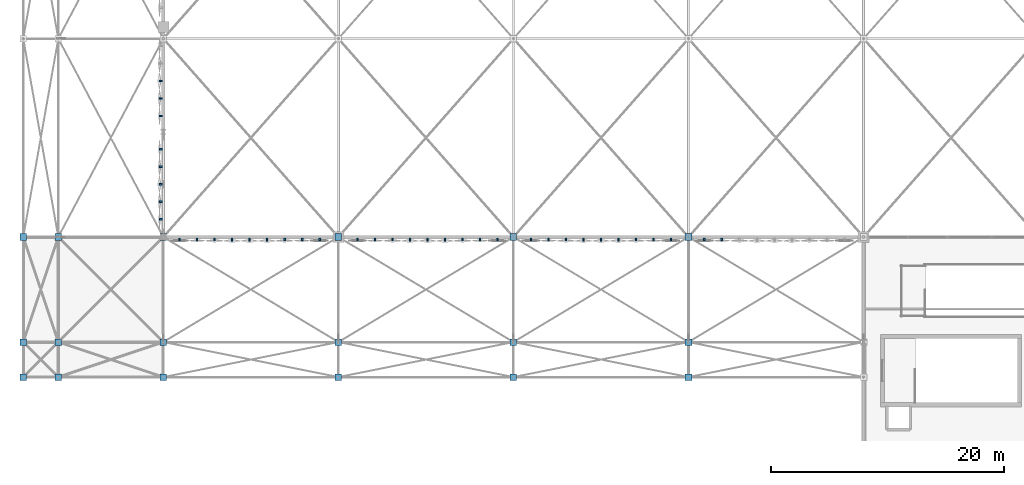
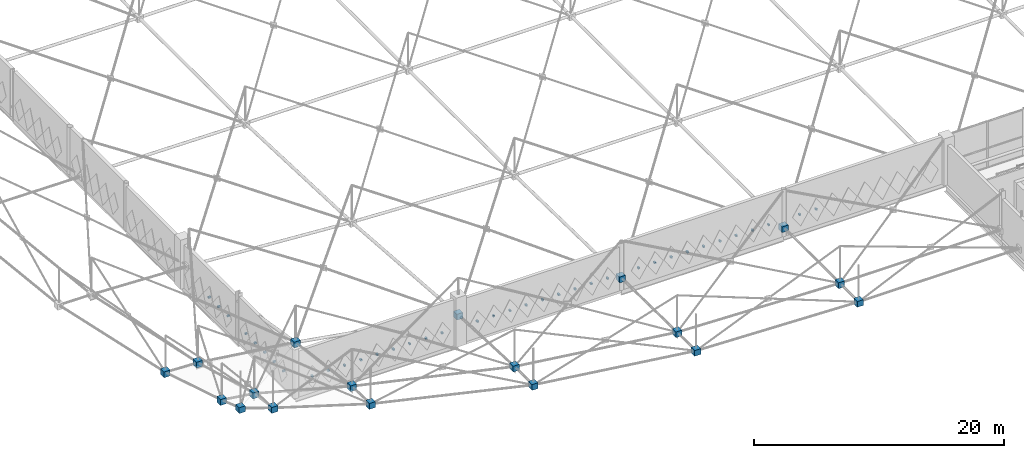
# One storey, part 203 of 224: 55 discrete accessories.
"""IFC4 building model written with IfcOpenShell, lengths in metres."""

from ifc_helpers import new_model, si_unit, direction, frame, origin, origin_2d, place, context, subcontext, project, spatial, rectangle, extrude, material, type_object, element, save


model = new_model("IFC4")

# Units and contexts
model_context = context("Model", 3, precision=1e-05, world=origin(), true_north=direction((0.0, 1.0)))
body_context = subcontext(model_context, "Body", "Model", "MODEL_VIEW")
ifc_project = project(units=[si_unit("LENGTHUNIT", "METRE"), si_unit("AREAUNIT", "SQUARE_METRE"), si_unit("VOLUMEUNIT", "CUBIC_METRE"), si_unit("PLANEANGLEUNIT", "RADIAN"), si_unit("MASSUNIT", "GRAM", prefix="KILO")], contexts=[model_context])

# Site, building, storey
site_placement = place(None, origin())
site = spatial("IfcSite", under=ifc_project, at=site_placement, CompositionType="ELEMENT")
building_placement = place(site_placement, origin())
building = spatial("IfcBuilding", under=site, at=building_placement, Name="Qamarlyn Nura Convention Centre", CompositionType="ELEMENT")
storey_placement = place(building_placement, frame((0.0, 0.0, 10.800048828125)))
storey = spatial("IfcBuildingStorey", under=building, at=storey_placement, Name="L02", CompositionType="ELEMENT", Elevation=10.800048828125)

# Discrete accessories
ifc_material_1 = material(Name="Pearl-white PVDF steel ASTM A500 Grade C", Category="steel")
discrete_accessory_type_1 = type_object("IfcDiscreteAccessoryType", Name="ACC-SF-NODE", PredefinedType="USERDEFINED", material=ifc_material_1)
for number, where, z_axis, x_axis, name in (
    (1, (-12.0, 6.0, 10.119873046875), (0.0, 0.0, 1.0), (1.0, 0.0, 0.0), "Cast space frame node BC-0-0"),
    (2, (-12.0, 9.0, 9.0830078125), (0.0, 0.0, 1.0), (1.0, 0.0, 0.0), "Cast space frame node BC-0-1"),
    (3, (-12.0, 18.0, 6.327392578125), (0.0, 0.0, 1.0), (1.0, 0.0, 0.0), "Cast space frame node BC-0-2"),
    (4, (-9.0, 6.0, 9.0830078125), (0.0, 0.0, 1.0), (1.0, 0.0, 0.0), "Cast space frame node BC-1-0"),
    (5, (-9.0, 9.0, 8.670654296875), (0.0, 0.0, 1.0), (1.0, 0.0, 0.0), "Cast space frame node BC-1-1"),
    (6, (-9.0, 18.0, 6.2255859375), (0.0, 0.0, 1.0), (1.0, 0.0, 0.0), "Cast space frame node BC-1-2"),
    (7, (0.0, 6.0, 6.327392578125), (0.0, 0.0, 1.0), (1.0, 0.0, 0.0), "Cast space frame node BC-2-0"),
    (8, (0.0, 9.0, 6.2255859375), (0.0, 0.0, 1.0), (1.0, 0.0, 0.0), "Cast space frame node BC-2-1"),
    (9, (0.0, 18.0, 5.0341796875), (0.0, 0.0, 1.0), (1.0, 0.0, 0.0), "Cast space frame node BC-2-2"),
    (10, (15.0, 6.0, 2.919921875), (0.0, 0.0, 1.0), (1.0, 0.0, 0.0), "Cast space frame node BC-3-0"),
    (11, (15.0, 9.0, 2.890625), (0.0, 0.0, 1.0), (1.0, 0.0, 0.0), "Cast space frame node BC-3-1"),
    (12, (15.0, 18.0, 2.488525390625), (0.0, 0.0, 1.0), (1.0, 0.0, 0.0), "Cast space frame node BC-3-2"),
    (13, (30.0, 6.0, 0.994140625), (0.0, 0.0, 1.0), (1.0, 0.0, 0.0), "Cast space frame node BC-4-0"),
    (14, (30.0, 9.0, 0.985595703125), (0.0, 0.0, 1.0), (1.0, 0.0, 0.0), "Cast space frame node BC-4-1"),
    (15, (30.0, 18.0, 0.87060546875), (0.0, 0.0, 1.0), (1.0, 0.0, 0.0), "Cast space frame node BC-4-2"),
    (16, (45.0, 6.0, 0.52001953125), (0.0, 0.0, 1.0), (1.0, 0.0, 0.0), "Cast space frame node BC-5-0"),
    (17, (45.0, 9.0, 0.52001953125), (0.0, 0.0, 1.0), (1.0, 0.0, 0.0), "Cast space frame node BC-5-1"),
    (18, (45.0, 18.0, 0.52001953125), (0.0, 0.0, 1.0), (1.0, 0.0, 0.0), "Cast space frame node BC-5-2"),
):
    element("IfcDiscreteAccessory", number, at=place(storey_placement, frame(where, z_axis=z_axis, x_axis=x_axis)), inside=storey, type_object=discrete_accessory_type_1, Name=name, ObjectType="SPACE FRAME NODE", PredefinedType="USERDEFINED", context=body_context, shape_type="SweptSolid", body=[
        extrude(rectangle(XDim=0.56005859375, YDim=0.56005859375, at=origin_2d()), origin(), (0.0, 0.0, 1.0), 0.56005859375),
    ])
ifc_material_2 = material(Name="Marine Grade 316 stainless steel", Category="steel")
discrete_accessory_type_2 = type_object("IfcDiscreteAccessoryType", Name="ACC-TILE-BRK", PredefinedType="BRACKET", material=ifc_material_2)
discrete_accessory_1_placement = place(storey_placement, frame((-0.218994140625, 19.520751953125, 1.6201171875), z_axis=(0.0, 0.0, 1.0), x_axis=(-1.0, 0.0, 0.0)))
element("IfcDiscreteAccessory", 19, at=discrete_accessory_1_placement, inside=storey, type_object=discrete_accessory_type_2, Name="L02 diamond tile pivot bracket 0195", PredefinedType="BRACKET", context=body_context, shape_type="SweptSolid", body=[
    extrude(rectangle(XDim=0.218017578125, YDim=0.159912109375, at=origin_2d()), origin(), (0.0, 0.0, 1.0), 0.159912109375),
])
discrete_accessory_2_placement = place(storey_placement, frame((-0.224365234375, 21.020751953125, 1.6201171875), z_axis=(0.0, 0.0, 1.0), x_axis=(-1.0, 0.0, 0.0)))
element("IfcDiscreteAccessory", 20, at=discrete_accessory_2_placement, inside=storey, type_object=discrete_accessory_type_2, Name="L02 diamond tile pivot bracket 0196", PredefinedType="BRACKET", context=body_context, shape_type="SweptSolid", body=[
    extrude(rectangle(XDim=0.228515625, YDim=0.159912109375, at=origin_2d()), origin(), (0.0, 0.0, 1.0), 0.159912109375),
])
discrete_accessory_3_placement = place(storey_placement, frame((-0.2265625, 22.520751953125, 1.6201171875), z_axis=(0.0, 0.0, 1.0), x_axis=(-1.0, 0.0, 0.0)))
element("IfcDiscreteAccessory", 21, at=discrete_accessory_3_placement, inside=storey, type_object=discrete_accessory_type_2, Name="L02 diamond tile pivot bracket 0197", PredefinedType="BRACKET", context=body_context, shape_type="SweptSolid", body=[
    extrude(rectangle(XDim=0.23291015625, YDim=0.159912109375, at=origin_2d()), origin(), (0.0, 0.0, 1.0), 0.159912109375),
])
discrete_accessory_4_placement = place(storey_placement, frame((-0.224365234375, 24.020751953125, 1.6201171875), z_axis=(0.0, 0.0, 1.0), x_axis=(-1.0, 0.0, 0.0)))
element("IfcDiscreteAccessory", 22, at=discrete_accessory_4_placement, inside=storey, type_object=discrete_accessory_type_2, Name="L02 diamond tile pivot bracket 0198", PredefinedType="BRACKET", context=body_context, shape_type="SweptSolid", body=[
    extrude(rectangle(XDim=0.228515625, YDim=0.159912109375, at=origin_2d()), origin(), (0.0, 0.0, 1.0), 0.159912109375),
])
for number, where, z_axis, x_axis, name in (
    (23, (-0.218994140625, 25.520751953125, 1.6201171875), (0.0, 0.0, 1.0), (-1.0, 0.0, 0.0), "L02 diamond tile pivot bracket 0199"),
    (24, (-0.218994140625, 28.36865234375, 1.6201171875), (0.0, 0.0, 1.0), (-1.0, 0.0, 0.0), "L02 diamond tile pivot bracket 0200"),
):
    element("IfcDiscreteAccessory", number, at=place(storey_placement, frame(where, z_axis=z_axis, x_axis=x_axis)), inside=storey, type_object=discrete_accessory_type_2, Name=name, PredefinedType="BRACKET", context=body_context, shape_type="SweptSolid", body=[
        extrude(rectangle(XDim=0.218017578125, YDim=0.159912109375, at=origin_2d()), origin(), (0.0, 0.0, 1.0), 0.159912109375),
    ])
discrete_accessory_5_placement = place(storey_placement, frame((-0.224365234375, 29.86865234375, 1.6201171875), z_axis=(0.0, 0.0, 1.0), x_axis=(-1.0, 0.0, 0.0)))
element("IfcDiscreteAccessory", 25, at=discrete_accessory_5_placement, inside=storey, type_object=discrete_accessory_type_2, Name="L02 diamond tile pivot bracket 0201", PredefinedType="BRACKET", context=body_context, shape_type="SweptSolid", body=[
    extrude(rectangle(XDim=0.228515625, YDim=0.159912109375, at=origin_2d()), origin(), (0.0, 0.0, 1.0), 0.159912109375),
])
discrete_accessory_6_placement = place(storey_placement, frame((-0.2265625, 31.36865234375, 1.6201171875), z_axis=(0.0, 0.0, 1.0), x_axis=(-1.0, 0.0, 0.0)))
element("IfcDiscreteAccessory", 26, at=discrete_accessory_6_placement, inside=storey, type_object=discrete_accessory_type_2, Name="L02 diamond tile pivot bracket 0202", PredefinedType="BRACKET", context=body_context, shape_type="SweptSolid", body=[
    extrude(rectangle(XDim=0.23291015625, YDim=0.159912109375, at=origin_2d()), origin(), (0.0, 0.0, 1.0), 0.159912109375),
])
discrete_accessory_7_placement = place(storey_placement, frame((13.389404296875, 17.782470703125, 1.6201171875), z_axis=(0.0, 0.0, 1.0), x_axis=(0.0, -1.0, 0.0)))
element("IfcDiscreteAccessory", 27, at=discrete_accessory_7_placement, inside=storey, type_object=discrete_accessory_type_2, Name="L02 diamond tile pivot bracket 0242", PredefinedType="BRACKET", context=body_context, shape_type="SweptSolid", body=[
    extrude(rectangle(XDim=0.215087890625, YDim=0.159912109375, at=origin_2d()), origin(), (0.0, 0.0, 1.0), 0.159912109375),
])
discrete_accessory_8_placement = place(storey_placement, frame((11.889404296875, 17.7802734375, 1.6201171875), z_axis=(0.0, 0.0, 1.0), x_axis=(0.0, -1.0, 0.0)))
element("IfcDiscreteAccessory", 28, at=discrete_accessory_8_placement, inside=storey, type_object=discrete_accessory_type_2, Name="L02 diamond tile pivot bracket 0243", PredefinedType="BRACKET", context=body_context, shape_type="SweptSolid", body=[
    extrude(rectangle(XDim=0.219482421875, YDim=0.159912109375, at=origin_2d()), origin(), (0.0, 0.0, 1.0), 0.159912109375),
])
discrete_accessory_9_placement = place(storey_placement, frame((10.389404296875, 17.77587890625, 1.6201171875), z_axis=(0.0, 0.0, 1.0), x_axis=(0.0, -1.0, 0.0)))
element("IfcDiscreteAccessory", 29, at=discrete_accessory_9_placement, inside=storey, type_object=discrete_accessory_type_2, Name="L02 diamond tile pivot bracket 0244", PredefinedType="BRACKET", context=body_context, shape_type="SweptSolid", body=[
    extrude(rectangle(XDim=0.228515625, YDim=0.159912109375, at=origin_2d()), origin(), (0.0, 0.0, 1.0), 0.159912109375),
])
for number, where, z_axis, x_axis, name in (
    (30, (8.889404296875, 17.7734375, 1.6201171875), (0.0, 0.0, 1.0), (0.0, -1.0, 0.0), "L02 diamond tile pivot bracket 0245"),
    (31, (7.389404296875, 17.7734375, 1.6201171875), (0.0, 0.0, 1.0), (0.0, -1.0, 0.0), "L02 diamond tile pivot bracket 0246"),
    (32, (5.889404296875, 17.7734375, 1.6201171875), (0.0, 0.0, 1.0), (0.0, -1.0, 0.0), "L02 diamond tile pivot bracket 0247"),
):
    element("IfcDiscreteAccessory", number, at=place(storey_placement, frame(where, z_axis=z_axis, x_axis=x_axis)), inside=storey, type_object=discrete_accessory_type_2, Name=name, PredefinedType="BRACKET", context=body_context, shape_type="SweptSolid", body=[
        extrude(rectangle(XDim=0.23291015625, YDim=0.159912109375, at=origin_2d()), origin(), (0.0, 0.0, 1.0), 0.159912109375),
    ])
discrete_accessory_10_placement = place(storey_placement, frame((4.389404296875, 17.77587890625, 1.6201171875), z_axis=(0.0, 0.0, 1.0), x_axis=(0.0, -1.0, 0.0)))
element("IfcDiscreteAccessory", 33, at=discrete_accessory_10_placement, inside=storey, type_object=discrete_accessory_type_2, Name="L02 diamond tile pivot bracket 0248", PredefinedType="BRACKET", context=body_context, shape_type="SweptSolid", body=[
    extrude(rectangle(XDim=0.228515625, YDim=0.159912109375, at=origin_2d()), origin(), (0.0, 0.0, 1.0), 0.159912109375),
])
discrete_accessory_11_placement = place(storey_placement, frame((2.889404296875, 17.7802734375, 1.6201171875), z_axis=(0.0, 0.0, 1.0), x_axis=(0.0, -1.0, 0.0)))
element("IfcDiscreteAccessory", 34, at=discrete_accessory_11_placement, inside=storey, type_object=discrete_accessory_type_2, Name="L02 diamond tile pivot bracket 0249", PredefinedType="BRACKET", context=body_context, shape_type="SweptSolid", body=[
    extrude(rectangle(XDim=0.219482421875, YDim=0.159912109375, at=origin_2d()), origin(), (0.0, 0.0, 1.0), 0.159912109375),
])
for number, where, z_axis, x_axis, name in (
    (35, (1.389404296875, 17.782470703125, 1.6201171875), (0.0, 0.0, 1.0), (0.0, -1.0, 0.0), "L02 diamond tile pivot bracket 0250"),
    (36, (28.635986328125, 17.782470703125, 1.6201171875), (0.0, 0.0, 1.0), (0.0, -1.0, 0.0), "L02 diamond tile pivot bracket 0251"),
):
    element("IfcDiscreteAccessory", number, at=place(storey_placement, frame(where, z_axis=z_axis, x_axis=x_axis)), inside=storey, type_object=discrete_accessory_type_2, Name=name, PredefinedType="BRACKET", context=body_context, shape_type="SweptSolid", body=[
        extrude(rectangle(XDim=0.215087890625, YDim=0.159912109375, at=origin_2d()), origin(), (0.0, 0.0, 1.0), 0.159912109375),
    ])
discrete_accessory_12_placement = place(storey_placement, frame((27.135986328125, 17.7802734375, 1.6201171875), z_axis=(0.0, 0.0, 1.0), x_axis=(0.0, -1.0, 0.0)))
element("IfcDiscreteAccessory", 37, at=discrete_accessory_12_placement, inside=storey, type_object=discrete_accessory_type_2, Name="L02 diamond tile pivot bracket 0252", PredefinedType="BRACKET", context=body_context, shape_type="SweptSolid", body=[
    extrude(rectangle(XDim=0.219482421875, YDim=0.159912109375, at=origin_2d()), origin(), (0.0, 0.0, 1.0), 0.159912109375),
])
discrete_accessory_13_placement = place(storey_placement, frame((25.635986328125, 17.77587890625, 1.6201171875), z_axis=(0.0, 0.0, 1.0), x_axis=(0.0, -1.0, 0.0)))
element("IfcDiscreteAccessory", 38, at=discrete_accessory_13_placement, inside=storey, type_object=discrete_accessory_type_2, Name="L02 diamond tile pivot bracket 0253", PredefinedType="BRACKET", context=body_context, shape_type="SweptSolid", body=[
    extrude(rectangle(XDim=0.228515625, YDim=0.159912109375, at=origin_2d()), origin(), (0.0, 0.0, 1.0), 0.159912109375),
])
for number, where, z_axis, x_axis, name in (
    (39, (24.135986328125, 17.7734375, 1.6201171875), (0.0, 0.0, 1.0), (0.0, -1.0, 0.0), "L02 diamond tile pivot bracket 0254"),
    (40, (22.635986328125, 17.7734375, 1.6201171875), (0.0, 0.0, 1.0), (0.0, -1.0, 0.0), "L02 diamond tile pivot bracket 0255"),
    (41, (21.135986328125, 17.7734375, 1.6201171875), (0.0, 0.0, 1.0), (0.0, -1.0, 0.0), "L02 diamond tile pivot bracket 0256"),
):
    element("IfcDiscreteAccessory", number, at=place(storey_placement, frame(where, z_axis=z_axis, x_axis=x_axis)), inside=storey, type_object=discrete_accessory_type_2, Name=name, PredefinedType="BRACKET", context=body_context, shape_type="SweptSolid", body=[
        extrude(rectangle(XDim=0.23291015625, YDim=0.159912109375, at=origin_2d()), origin(), (0.0, 0.0, 1.0), 0.159912109375),
    ])
discrete_accessory_14_placement = place(storey_placement, frame((19.635986328125, 17.77587890625, 1.6201171875), z_axis=(0.0, 0.0, 1.0), x_axis=(0.0, -1.0, 0.0)))
element("IfcDiscreteAccessory", 42, at=discrete_accessory_14_placement, inside=storey, type_object=discrete_accessory_type_2, Name="L02 diamond tile pivot bracket 0257", PredefinedType="BRACKET", context=body_context, shape_type="SweptSolid", body=[
    extrude(rectangle(XDim=0.228515625, YDim=0.159912109375, at=origin_2d()), origin(), (0.0, 0.0, 1.0), 0.159912109375),
])
discrete_accessory_15_placement = place(storey_placement, frame((18.135986328125, 17.7802734375, 1.6201171875), z_axis=(0.0, 0.0, 1.0), x_axis=(0.0, -1.0, 0.0)))
element("IfcDiscreteAccessory", 43, at=discrete_accessory_15_placement, inside=storey, type_object=discrete_accessory_type_2, Name="L02 diamond tile pivot bracket 0258", PredefinedType="BRACKET", context=body_context, shape_type="SweptSolid", body=[
    extrude(rectangle(XDim=0.219482421875, YDim=0.159912109375, at=origin_2d()), origin(), (0.0, 0.0, 1.0), 0.159912109375),
])
for number, where, z_axis, x_axis, name in (
    (44, (16.635986328125, 17.782470703125, 1.6201171875), (0.0, 0.0, 1.0), (0.0, -1.0, 0.0), "L02 diamond tile pivot bracket 0259"),
    (45, (43.5, 17.782470703125, 1.6201171875), (0.0, 0.0, 1.0), (0.0, -1.0, 0.0), "L02 diamond tile pivot bracket 0260"),
):
    element("IfcDiscreteAccessory", number, at=place(storey_placement, frame(where, z_axis=z_axis, x_axis=x_axis)), inside=storey, type_object=discrete_accessory_type_2, Name=name, PredefinedType="BRACKET", context=body_context, shape_type="SweptSolid", body=[
        extrude(rectangle(XDim=0.215087890625, YDim=0.159912109375, at=origin_2d()), origin(), (0.0, 0.0, 1.0), 0.159912109375),
    ])
discrete_accessory_16_placement = place(storey_placement, frame((42.0, 17.7802734375, 1.6201171875), z_axis=(0.0, 0.0, 1.0), x_axis=(0.0, -1.0, 0.0)))
element("IfcDiscreteAccessory", 46, at=discrete_accessory_16_placement, inside=storey, type_object=discrete_accessory_type_2, Name="L02 diamond tile pivot bracket 0261", PredefinedType="BRACKET", context=body_context, shape_type="SweptSolid", body=[
    extrude(rectangle(XDim=0.219482421875, YDim=0.159912109375, at=origin_2d()), origin(), (0.0, 0.0, 1.0), 0.159912109375),
])
discrete_accessory_17_placement = place(storey_placement, frame((40.5, 17.77587890625, 1.6201171875), z_axis=(0.0, 0.0, 1.0), x_axis=(0.0, -1.0, 0.0)))
element("IfcDiscreteAccessory", 47, at=discrete_accessory_17_placement, inside=storey, type_object=discrete_accessory_type_2, Name="L02 diamond tile pivot bracket 0262", PredefinedType="BRACKET", context=body_context, shape_type="SweptSolid", body=[
    extrude(rectangle(XDim=0.228515625, YDim=0.159912109375, at=origin_2d()), origin(), (0.0, 0.0, 1.0), 0.159912109375),
])
for number, where, z_axis, x_axis, name in (
    (48, (39.0, 17.7734375, 1.6201171875), (0.0, 0.0, 1.0), (0.0, -1.0, 0.0), "L02 diamond tile pivot bracket 0263"),
    (49, (37.5, 17.7734375, 1.6201171875), (0.0, 0.0, 1.0), (0.0, -1.0, 0.0), "L02 diamond tile pivot bracket 0264"),
    (50, (36.0, 17.7734375, 1.6201171875), (0.0, 0.0, 1.0), (0.0, -1.0, 0.0), "L02 diamond tile pivot bracket 0265"),
):
    element("IfcDiscreteAccessory", number, at=place(storey_placement, frame(where, z_axis=z_axis, x_axis=x_axis)), inside=storey, type_object=discrete_accessory_type_2, Name=name, PredefinedType="BRACKET", context=body_context, shape_type="SweptSolid", body=[
        extrude(rectangle(XDim=0.23291015625, YDim=0.159912109375, at=origin_2d()), origin(), (0.0, 0.0, 1.0), 0.159912109375),
    ])
discrete_accessory_18_placement = place(storey_placement, frame((34.5, 17.77587890625, 1.6201171875), z_axis=(0.0, 0.0, 1.0), x_axis=(0.0, -1.0, 0.0)))
element("IfcDiscreteAccessory", 51, at=discrete_accessory_18_placement, inside=storey, type_object=discrete_accessory_type_2, Name="L02 diamond tile pivot bracket 0266", PredefinedType="BRACKET", context=body_context, shape_type="SweptSolid", body=[
    extrude(rectangle(XDim=0.228515625, YDim=0.159912109375, at=origin_2d()), origin(), (0.0, 0.0, 1.0), 0.159912109375),
])
discrete_accessory_19_placement = place(storey_placement, frame((33.0, 17.7802734375, 1.6201171875), z_axis=(0.0, 0.0, 1.0), x_axis=(0.0, -1.0, 0.0)))
element("IfcDiscreteAccessory", 52, at=discrete_accessory_19_placement, inside=storey, type_object=discrete_accessory_type_2, Name="L02 diamond tile pivot bracket 0267", PredefinedType="BRACKET", context=body_context, shape_type="SweptSolid", body=[
    extrude(rectangle(XDim=0.219482421875, YDim=0.159912109375, at=origin_2d()), origin(), (0.0, 0.0, 1.0), 0.159912109375),
])
discrete_accessory_20_placement = place(storey_placement, frame((31.5, 17.782470703125, 1.6201171875), z_axis=(0.0, 0.0, 1.0), x_axis=(0.0, -1.0, 0.0)))
element("IfcDiscreteAccessory", 53, at=discrete_accessory_20_placement, inside=storey, type_object=discrete_accessory_type_2, Name="L02 diamond tile pivot bracket 0268", PredefinedType="BRACKET", context=body_context, shape_type="SweptSolid", body=[
    extrude(rectangle(XDim=0.215087890625, YDim=0.159912109375, at=origin_2d()), origin(), (0.0, 0.0, 1.0), 0.159912109375),
])
discrete_accessory_21_placement = place(storey_placement, frame((47.864013671875, 17.7802734375, 1.6201171875), z_axis=(0.0, 0.0, 1.0), x_axis=(0.0, -1.0, 0.0)))
element("IfcDiscreteAccessory", 54, at=discrete_accessory_21_placement, inside=storey, type_object=discrete_accessory_type_2, Name="L02 diamond tile pivot bracket 0276", PredefinedType="BRACKET", context=body_context, shape_type="SweptSolid", body=[
    extrude(rectangle(XDim=0.219482421875, YDim=0.159912109375, at=origin_2d()), origin(), (0.0, 0.0, 1.0), 0.159912109375),
])
discrete_accessory_22_placement = place(storey_placement, frame((46.364013671875, 17.782470703125, 1.6201171875), z_axis=(0.0, 0.0, 1.0), x_axis=(0.0, -1.0, 0.0)))
element("IfcDiscreteAccessory", 55, at=discrete_accessory_22_placement, inside=storey, type_object=discrete_accessory_type_2, Name="L02 diamond tile pivot bracket 0277", PredefinedType="BRACKET", context=body_context, shape_type="SweptSolid", body=[
    extrude(rectangle(XDim=0.215087890625, YDim=0.159912109375, at=origin_2d()), origin(), (0.0, 0.0, 1.0), 0.159912109375),
])

save(model, "model.ifc")
